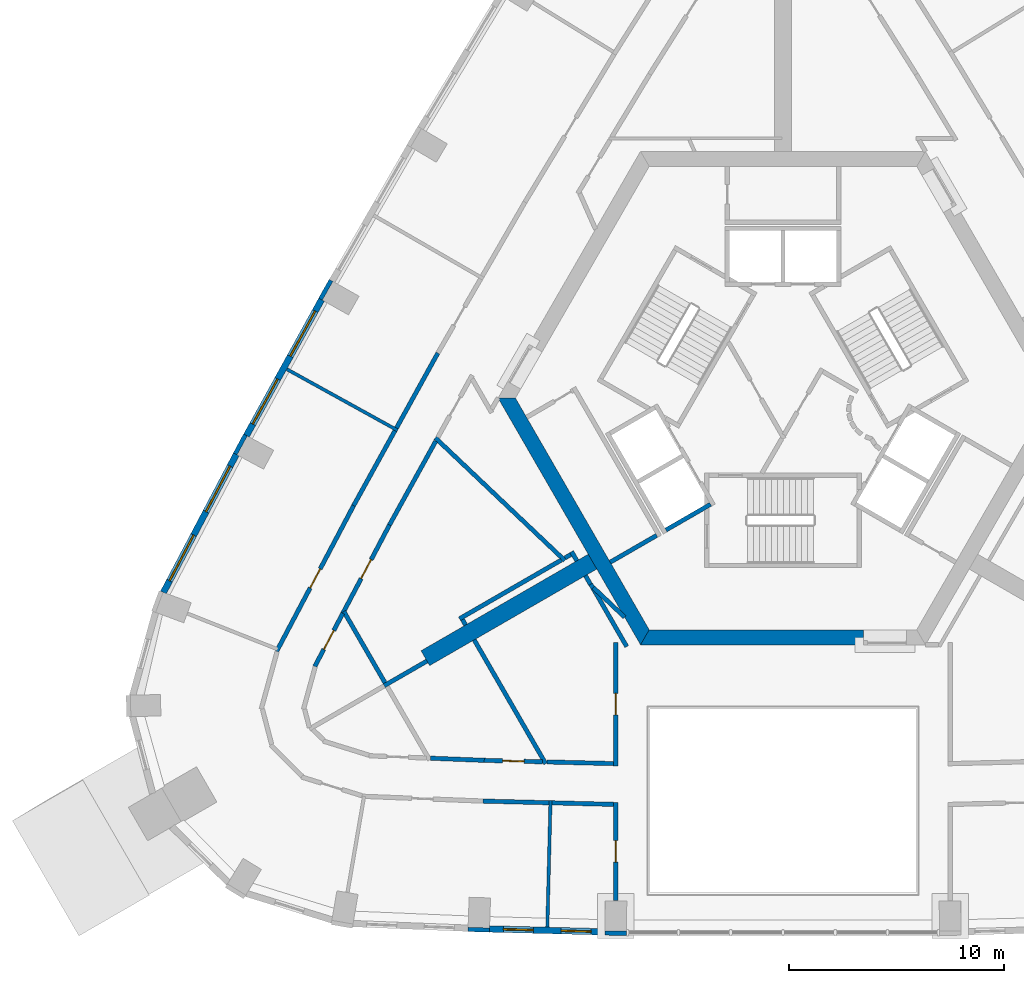
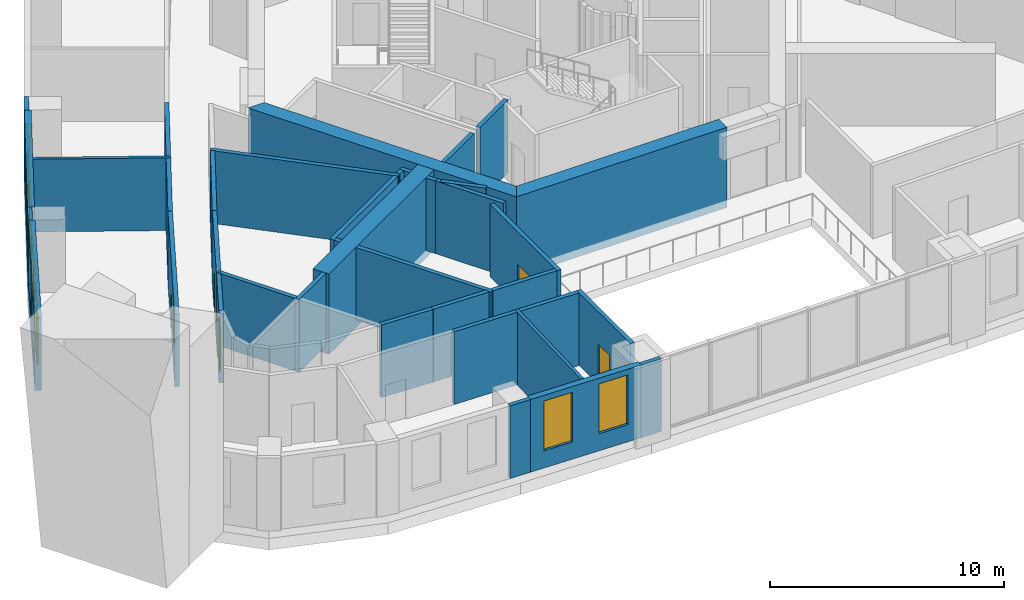
# One storey, part 4 of 13: 38 walls, 6 doors, 6 windows, 12 openings.
"""IFC4 building model written with IfcOpenShell, lengths in metres."""

from ifc_helpers import new_model, si_unit, direction, frame, frame_2d, origin, place, context, subcontext, project, spatial, polyline, rectangle, outline, extrude, material, layer, layer_set, type_object, element, fill, save


model = new_model("IFC4")

# Units and contexts
model_context = context("Model", 3, precision=1e-05, world=origin(), true_north=direction((0.0, 1.0)))
body_context = subcontext(model_context, "Body", "Model", "MODEL_VIEW")
ifc_project = project(units=[si_unit("LENGTHUNIT", "METRE"), si_unit("AREAUNIT", "SQUARE_METRE"), si_unit("VOLUMEUNIT", "CUBIC_METRE"), si_unit("PLANEANGLEUNIT", "RADIAN"), si_unit("MASSUNIT", "GRAM", prefix="KILO")], contexts=[model_context])

# Site, building, storey
site_placement = place(None, origin())
site = spatial("IfcSite", under=ifc_project, at=site_placement, CompositionType="ELEMENT")
building_placement = place(site_placement, origin())
building = spatial("IfcBuilding", under=site, at=building_placement, Name="Entoto Arch Interchange Tower", CompositionType="ELEMENT")
storey_placement = place(building_placement, frame((0.0, 0.0, 202.39990234375)))
storey = spatial("IfcBuildingStorey", under=building, at=storey_placement, Name="L45", CompositionType="ELEMENT", Elevation=202.39990234375)

# Walls
ifc_material_1 = material(Name="Concrete C50/60", Category="concrete")
ifc_layer_1 = layer(ifc_material_1, 0.800048828125)
ifc_layer_set_1 = layer_set([ifc_layer_1], Name="Concrete C50/60")
wall_type_1 = type_object("IfcWallType", Name="Buttress wall 800 C50/60", PredefinedType="SHEAR", material=ifc_layer_set_1)
wall_1_placement = place(storey_placement, frame((-8.876953125, -5.125, -0.39990234375), z_axis=(0.0, 0.0, 1.0), x_axis=(-0.866017533419, -0.500013631625, 0.0)))
element("IfcWall", 1, at=wall_1_placement, inside=storey, type_object=wall_type_1, Name="Buttress wall SW L45", PredefinedType="SHEAR", context=body_context, shape_type="SweptSolid", body=[
    extrude(rectangle(XDim=8.999755859375, YDim=0.800048828125, at=frame_2d((4.5, 0.0))), origin(), (0.0, 0.0, 1.0), 4.199951171875),
])
ifc_layer_2 = layer(ifc_material_1, 0.699951171875)
ifc_layer_set_2 = layer_set([ifc_layer_2], Name="Concrete C50/60")
wall_type_2 = type_object("IfcWallType", Name="Core wall 700 C50/60", PredefinedType="SHEAR", material=ifc_layer_set_2)
wall_2_placement = place(storey_placement, frame((0.0, 0.0, -0.39990234375)))
element("IfcWall", 2, at=wall_2_placement, inside=storey, type_object=wall_type_2, Name="Core wall SW L45", PredefinedType="SHEAR", context=body_context, shape_type="SweptSolid", body=[
    extrude(outline(polyline([(-13.279052734375, 2.5), (-6.639892578125, -9.0), (-6.235107421875, -8.300048828125), (-12.470947265625, 2.5), (-13.279052734375, 2.5)])), origin(), (0.0, 0.0, 1.0), 4.199951171875),
])
wall_3_placement = place(storey_placement, frame((0.0, 0.0, -0.39990234375)))
element("IfcWall", 3, at=wall_3_placement, inside=storey, type_object=wall_type_2, Name="Core wall S L45", PredefinedType="SHEAR", context=body_context, shape_type="SweptSolid", body=[
    extrude(outline(polyline([(3.75, -9.0), (3.75, -8.300048828125), (-6.235107421875, -8.300048828125), (-6.639892578125, -9.0), (3.75, -9.0)])), origin(), (0.0, 0.0, 1.0), 4.199951171875),
])
ifc_material_2 = material(Name="Concrete C40/50", Category="concrete")
ifc_layer_3 = layer(ifc_material_2, 0.199951171875)
ifc_layer_set_3 = layer_set([ifc_layer_3], Name="Concrete C40/50")
wall_type_3 = type_object("IfcWallType", Name="LIFT SHAFT WALL 200", PredefinedType="STANDARD", material=ifc_layer_set_3)
wall_4_placement = place(storey_placement, frame((-3.376953125, -2.451904296875, 0.0), z_axis=(0.0, 0.0, 1.0), x_axis=(-0.865955154139, -0.50012165622, 0.0)))
element("IfcWall", 4, at=wall_4_placement, inside=storey, type_object=wall_type_3, Name="Shaft wall SW1 cross 3", PredefinedType="STANDARD", context=body_context, shape_type="SweptSolid", body=[
    extrude(rectangle(XDim=2.39990234375, YDim=0.199951171875, at=frame_2d((1.199951171875, 0.0))), origin(), (0.0, 0.0, 1.0), 3.800048828125),
])
ifc_material_3 = material(Name="Gypsum board partition on steel studs", Category="steel")
ifc_layer_4 = layer(ifc_material_3, 0.14990234375)
ifc_layer_set_4 = layer_set([ifc_layer_4], Name="Gypsum board partition on steel studs")
wall_type_4 = type_object("IfcWallType", Name="PARTITION 150", PredefinedType="PARTITIONING", material=ifc_layer_set_4)
wall_5_placement = place(storey_placement, frame((-17.964111328125, 0.992919921875, 0.0), z_axis=(0.0, 0.0, 1.0), x_axis=(-0.875289017238, 0.483600182282, 0.0)))
element("IfcWall", 5, at=wall_5_placement, inside=storey, type_object=wall_type_4, Name="wall:L45:p119", PredefinedType="PARTITIONING", context=body_context, shape_type="SweptSolid", body=[
    extrude(rectangle(XDim=5.899658203125, YDim=0.14990234375, at=frame_2d((2.94970703125, 0.0))), origin(), (0.0, 0.0, 1.0), 3.800048828125),
])
wall_6_placement = place(storey_placement, frame((-10.8359375, -16.26611328125, 0.0), z_axis=(0.0, 0.0, 1.0), x_axis=(-0.025076969416, -0.999685523355, 0.0)))
element("IfcWall", 6, at=wall_6_placement, inside=storey, type_object=wall_type_4, Name="wall:L45:p122", PredefinedType="PARTITIONING", context=body_context, shape_type="SweptSolid", body=[
    extrude(rectangle(XDim=5.89990234375, YDim=0.14990234375, at=frame_2d((2.949951171875, 0.0))), origin(), (0.0, 0.0, 1.0), 3.800048828125),
])
ifc_layer_5 = layer(ifc_material_3, 0.199951171875)
ifc_layer_set_5 = layer_set([ifc_layer_5], Name="Gypsum board partition on steel studs")
wall_type_5 = type_object("IfcWallType", Name="PARTITION 200", PredefinedType="PARTITIONING", material=ifc_layer_set_5)
wall_7_placement = place(storey_placement, frame((-11.009033203125, -14.4609375, 0.0), z_axis=(0.0, 0.0, 1.0), x_axis=(0.999684451251, -0.025119672116, 0.0)))
element("IfcWall", 7, at=wall_7_placement, inside=storey, type_object=wall_type_5, Name="wall:L45:p026", PredefinedType="PARTITIONING", context=body_context, shape_type="SweptSolid", body=[
    extrude(rectangle(XDim=3.110107421875, YDim=0.199951171875, at=frame_2d((1.55517578125, 0.0))), origin(), (0.0, 0.0, 1.0), 3.800048828125),
])
wall_8_placement = place(storey_placement, frame((-16.18408203125, 0.492919921875, 0.0), z_axis=(0.0, 0.0, 1.0), x_axis=(-0.48354397003, -0.875320072344, 0.0)))
element("IfcWall", 8, at=wall_8_placement, inside=storey, type_object=wall_type_5, Name="wall:L45:p027", PredefinedType="PARTITIONING", context=body_context, shape_type="SweptSolid", body=[
    extrude(rectangle(XDim=4.466796875, YDim=0.199951171875, at=frame_2d((2.2333984375, 0.0))), origin(), (0.0, 0.0, 1.0), 3.800048828125),
])

# Wall, opening, door
wall_9_placement = place(storey_placement, frame((-18.343994140625, -3.4169921875, 0.0), z_axis=(0.0, 0.0, 1.0), x_axis=(-0.466889669343, -0.884315575267, 0.0)))
wall_9 = element("IfcWall", 9, at=wall_9_placement, inside=storey, type_object=wall_type_5, Name="wall:L45:p028", PredefinedType="PARTITIONING", context=body_context, shape_type="SweptSolid", body=[
    extrude(rectangle(XDim=4.654296875, YDim=0.199951171875, at=frame_2d((2.3271484375, 0.0))), origin(), (0.0, 0.0, 1.0), 3.800048828125),
])
opening_1_placement = place(wall_9_placement, frame((1.826904296875, 0.0, 0.0)))
opening_1 = element("IfcOpeningElement", 10, at=opening_1_placement, cuts=wall_9, Name="Opening L45-D21", PredefinedType="OPENING", context=body_context, shape_type="SweptSolid", body=[
    extrude(rectangle(XDim=1.0, YDim=2.10009765625, at=frame_2d((0.5, 1.050048828125))), frame((0.0, 0.10986328125, 0.0), z_axis=(0.0, -1.0, 0.0), x_axis=(1.0, 0.0, 0.0)), (0.0, 0.0, 1.0), 0.219970703125),
])
ifc_material_4 = material(Name="Timber door leaf in Steel S235 frame", Category="steel")
door_type = type_object("IfcDoorType", Name="DOOR DS-10 1000x2100", OperationType="SINGLE_SWING_LEFT", PredefinedType="DOOR", material=ifc_material_4)
door_1_placement = place(opening_1_placement, origin())
door_1 = element("IfcDoor", 11, at=door_1_placement, inside=storey, type_object=door_type, Name="door:L45:21", OperationType="SINGLE_SWING_LEFT", OverallHeight=2.10009765625, OverallWidth=1.0, PredefinedType="DOOR", context=body_context, shape_type="SweptSolid", body=[
    extrude(rectangle(XDim=1.0, YDim=2.10009765625, at=frame_2d((0.5, 1.050048828125))), frame((0.0, 0.02490234375, 0.0), z_axis=(0.0, -1.0, 0.0), x_axis=(1.0, 0.0, 0.0)), (0.0, 0.0, 1.0), 0.050048828125),
])
fill(opening_1, door_1)

# Wall
wall_10_placement = place(storey_placement, frame((-16.422119140625, -14.287109375, 0.0), z_axis=(0.0, 0.0, 1.0), x_axis=(0.999201426829, -0.039956333943, 0.0)))
element("IfcWall", 12, at=wall_10_placement, inside=storey, type_object=wall_type_5, Name="wall:L45:p029", PredefinedType="PARTITIONING", context=body_context, shape_type="SweptSolid", body=[
    extrude(rectangle(XDim=2.4990234375, YDim=0.199951171875, at=frame_2d((1.24951171875, 0.0))), origin(), (0.0, 0.0, 1.0), 3.800048828125),
])

# Wall, opening, door
wall_11_placement = place(storey_placement, frame((-13.925048828125, -14.386962890625, 0.0), z_axis=(0.0, 0.0, 1.0), x_axis=(0.999685678874, -0.025070768935, 0.0)))
wall_11 = element("IfcWall", 13, at=wall_11_placement, inside=storey, type_object=wall_type_5, Name="wall:L45:p030", PredefinedType="PARTITIONING", context=body_context, shape_type="SweptSolid", body=[
    extrude(rectangle(XDim=2.716796875, YDim=0.199951171875, at=frame_2d((1.3583984375, 0.0))), origin(), (0.0, 0.0, 1.0), 3.800048828125),
])
opening_2_placement = place(wall_11_placement, frame((0.85791015625, 0.0, 0.0)))
opening_2 = element("IfcOpeningElement", 14, at=opening_2_placement, cuts=wall_11, Name="Opening L45-D22", PredefinedType="OPENING", context=body_context, shape_type="SweptSolid", body=[
    extrude(rectangle(XDim=1.0, YDim=2.10009765625, at=frame_2d((0.5, 1.050048828125))), frame((0.0, 0.10986328125, 0.0), z_axis=(0.0, -1.0, 0.0), x_axis=(1.0, 0.0, 0.0)), (0.0, 0.0, 1.0), 0.219970703125),
])
door_2_placement = place(opening_2_placement, origin())
door_2 = element("IfcDoor", 15, at=door_2_placement, inside=storey, type_object=door_type, Name="door:L45:22", OperationType="SINGLE_SWING_LEFT", OverallHeight=2.10009765625, OverallWidth=1.0, PredefinedType="DOOR", context=body_context, shape_type="SweptSolid", body=[
    extrude(rectangle(XDim=1.0, YDim=2.10009765625, at=frame_2d((0.5, 1.050048828125))), frame((0.0, 0.02490234375, 0.0), z_axis=(0.0, -1.0, 0.0), x_axis=(1.0, 0.0, 0.0)), (0.0, 0.0, 1.0), 0.050048828125),
])
fill(opening_2, door_2)

wall_12_placement = place(storey_placement, frame((-20.51708984375, -7.532958984375, 0.0), z_axis=(0.0, 0.0, 1.0), x_axis=(-0.466570716246, -0.88448389852, 0.0)))
wall_12 = element("IfcWall", 16, at=wall_12_placement, inside=storey, type_object=wall_type_5, Name="wall:L45:p031", PredefinedType="PARTITIONING", context=body_context, shape_type="SweptSolid", body=[
    extrude(rectangle(XDim=2.794677734375, YDim=0.199951171875, at=frame_2d((1.3974609375, 0.0))), origin(), (0.0, 0.0, 1.0), 3.800048828125),
])
opening_3_placement = place(wall_12_placement, frame((0.89697265625, 0.0, 0.0)))
opening_3 = element("IfcOpeningElement", 17, at=opening_3_placement, cuts=wall_12, Name="Opening L45-D23", PredefinedType="OPENING", context=body_context, shape_type="SweptSolid", body=[
    extrude(rectangle(XDim=1.0, YDim=2.10009765625, at=frame_2d((0.5, 1.050048828125))), frame((0.0, 0.10986328125, 0.0), z_axis=(0.0, -1.0, 0.0), x_axis=(1.0, 0.0, 0.0)), (0.0, 0.0, 1.0), 0.219970703125),
])
door_3_placement = place(opening_3_placement, origin())
door_3 = element("IfcDoor", 18, at=door_3_placement, inside=storey, type_object=door_type, Name="door:L45:23", OperationType="SINGLE_SWING_LEFT", OverallHeight=2.10009765625, OverallWidth=1.0, PredefinedType="DOOR", context=body_context, shape_type="SweptSolid", body=[
    extrude(rectangle(XDim=1.0, YDim=2.10009765625, at=frame_2d((0.5, 1.050048828125))), frame((0.0, 0.02490234375, 0.0), z_axis=(0.0, -1.0, 0.0), x_axis=(1.0, 0.0, 0.0)), (0.0, 0.0, 1.0), 0.050048828125),
])
fill(opening_3, door_3)

# Wall
wall_13_placement = place(storey_placement, frame((-18.014892578125, 1.10693359375, 0.0), z_axis=(0.0, 0.0, 1.0), x_axis=(0.483551557311, 0.875315880938, 0.0)))
element("IfcWall", 19, at=wall_13_placement, inside=storey, type_object=wall_type_5, Name="wall:L45:p055", PredefinedType="PARTITIONING", context=body_context, shape_type="SweptSolid", body=[
    extrude(rectangle(XDim=3.987060546875, YDim=0.199951171875, at=frame_2d((1.99365234375, 0.0))), origin(), (0.0, 0.0, 1.0), 3.800048828125),
])

# Wall, opening, door
wall_14_placement = place(storey_placement, frame((-23.597900390625, -9.301025390625, 0.0), z_axis=(0.0, 0.0, 1.0), x_axis=(0.466852608943, 0.884335140952, 0.0)))
wall_14 = element("IfcWall", 20, at=wall_14_placement, inside=storey, type_object=wall_type_5, Name="wall:L45:p057", PredefinedType="PARTITIONING", context=body_context, shape_type="SweptSolid", body=[
    extrude(rectangle(XDim=7.6748046875, YDim=0.199951171875, at=frame_2d((3.83740234375, 0.0))), origin(), (0.0, 0.0, 1.0), 3.800048828125),
])
opening_4_placement = place(wall_14_placement, frame((3.3369140625, 0.0, 0.0)))
opening_4 = element("IfcOpeningElement", 21, at=opening_4_placement, cuts=wall_14, Name="Opening L45-D12", PredefinedType="OPENING", context=body_context, shape_type="SweptSolid", body=[
    extrude(rectangle(XDim=1.0, YDim=2.10009765625, at=frame_2d((0.5, 1.050048828125))), frame((0.0, 0.10986328125, 0.0), z_axis=(0.0, -1.0, 0.0), x_axis=(1.0, 0.0, 0.0)), (0.0, 0.0, 1.0), 0.219970703125),
])
door_4_placement = place(opening_4_placement, origin())
door_4 = element("IfcDoor", 22, at=door_4_placement, inside=storey, type_object=door_type, Name="door:L45:12", OperationType="SINGLE_SWING_LEFT", OverallHeight=2.10009765625, OverallWidth=1.0, PredefinedType="DOOR", context=body_context, shape_type="SweptSolid", body=[
    extrude(rectangle(XDim=1.0, YDim=2.10009765625, at=frame_2d((0.5, 1.050048828125))), frame((0.0, 0.02490234375, 0.0), z_axis=(0.0, -1.0, 0.0), x_axis=(1.0, 0.0, 0.0)), (0.0, 0.0, 1.0), 0.050048828125),
])
fill(opening_4, door_4)

# Walls
wall_15_placement = place(storey_placement, frame((-20.014892578125, -2.513916015625, 0.0), z_axis=(0.0, 0.0, 1.0), x_axis=(0.483363864601, 0.875419541933, 0.0)))
element("IfcWall", 23, at=wall_15_placement, inside=storey, type_object=wall_type_5, Name="wall:L45:p058", PredefinedType="PARTITIONING", context=body_context, shape_type="SweptSolid", body=[
    extrude(rectangle(XDim=3.986572265625, YDim=0.199951171875, at=frame_2d((1.9931640625, 0.0))), origin(), (0.0, 0.0, 1.0), 3.800048828125),
])
wall_16_placement = place(storey_placement, frame((-10.9130859375, -16.364013671875, 0.0), z_axis=(0.0, 0.0, 1.0), x_axis=(-0.999676990694, 0.02541484365, 0.0)))
element("IfcWall", 24, at=wall_16_placement, inside=storey, type_object=wall_type_5, Name="wall:L45:p063", PredefinedType="PARTITIONING", context=body_context, shape_type="SweptSolid", body=[
    extrude(rectangle(XDim=3.073974609375, YDim=0.199951171875, at=frame_2d((1.537109375, 0.0))), origin(), (0.0, 0.0, 1.0), 3.800048828125),
])
wall_17_placement = place(storey_placement, frame((-7.89990234375, -16.43994140625, 0.0), z_axis=(0.0, 0.0, 1.0), x_axis=(-0.999675117104, 0.025488433531, 0.0)))
element("IfcWall", 25, at=wall_17_placement, inside=storey, type_object=wall_type_5, Name="wall:L45:p065", PredefinedType="PARTITIONING", context=body_context, shape_type="SweptSolid", body=[
    extrude(rectangle(XDim=2.864013671875, YDim=0.199951171875, at=frame_2d((1.43212890625, 0.0))), origin(), (0.0, 0.0, 1.0), 3.800048828125),
])
wall_18_placement = place(storey_placement, frame((-5.887939453125, -3.902099609375, 0.0), z_axis=(0.0, 0.0, 1.0), x_axis=(-0.866022959057, -0.500004234368, 0.0)))
element("IfcWall", 26, at=wall_18_placement, inside=storey, type_object=wall_type_5, Name="wall:L45:p072", PredefinedType="PARTITIONING", context=body_context, shape_type="SweptSolid", body=[
    extrude(rectangle(XDim=2.5, YDim=0.199951171875, at=frame_2d((1.25, 0.0))), origin(), (0.0, 0.0, 1.0), 3.800048828125),
])
wall_19_placement = place(storey_placement, frame((-8.840087890625, -6.33203125, 0.0), z_axis=(0.0, 0.0, 1.0), x_axis=(0.726080635734, -0.687609562479, 0.0)))
element("IfcWall", 27, at=wall_19_placement, inside=storey, type_object=wall_type_5, Name="wall:L45:p092", PredefinedType="PARTITIONING", context=body_context, shape_type="SweptSolid", body=[
    extrude(rectangle(XDim=2.00537109375, YDim=0.199951171875, at=frame_2d((1.002685546875, 0.0))), origin(), (0.0, 0.0, 1.0), 3.800048828125),
])

# Wall, opening, door
wall_20_placement = place(storey_placement, frame((-7.800048828125, -14.64111328125, 0.0), z_axis=(0.0, 0.0, 1.0), x_axis=(0.0, 1.0, 0.0)))
wall_20 = element("IfcWall", 28, at=wall_20_placement, inside=storey, type_object=wall_type_5, Name="wall:L45:p093", PredefinedType="PARTITIONING", context=body_context, shape_type="SweptSolid", body=[
    extrude(rectangle(XDim=5.7421875, YDim=0.199951171875, at=frame_2d((2.87109375, 0.0))), origin(), (0.0, 0.0, 1.0), 3.800048828125),
])
opening_5_placement = place(wall_20_placement, frame((2.37109375, 0.0, 0.0)))
opening_5 = element("IfcOpeningElement", 29, at=opening_5_placement, cuts=wall_20, Name="Opening L45-D20", PredefinedType="OPENING", context=body_context, shape_type="SweptSolid", body=[
    extrude(rectangle(XDim=1.0, YDim=2.10009765625, at=frame_2d((0.5, 1.050048828125))), frame((0.0, 0.10986328125, 0.0), z_axis=(0.0, -1.0, 0.0), x_axis=(1.0, 0.0, 0.0)), (0.0, 0.0, 1.0), 0.219970703125),
])
door_5_placement = place(opening_5_placement, origin())
door_5 = element("IfcDoor", 30, at=door_5_placement, inside=storey, type_object=door_type, Name="door:L45:20", OperationType="SINGLE_SWING_LEFT", OverallHeight=2.10009765625, OverallWidth=1.0, PredefinedType="DOOR", context=body_context, shape_type="SweptSolid", body=[
    extrude(rectangle(XDim=1.0, YDim=2.10009765625, at=frame_2d((0.5, 1.050048828125))), frame((0.0, 0.02490234375, 0.0), z_axis=(0.0, -1.0, 0.0), x_axis=(1.0, 0.0, 0.0)), (0.0, 0.0, 1.0), 0.050048828125),
])
fill(opening_5, door_5)

# Wall
wall_21_placement = place(storey_placement, frame((-7.282958984375, -9.0859375, 0.0), z_axis=(0.0, 0.0, 1.0), x_axis=(-0.499883958536, 0.86609238999, 0.0)))
element("IfcWall", 31, at=wall_21_placement, inside=storey, type_object=wall_type_5, Name="wall:L45:p094", PredefinedType="PARTITIONING", context=body_context, shape_type="SweptSolid", body=[
    extrude(rectangle(XDim=3.358642578125, YDim=0.199951171875, at=frame_2d((1.67919921875, 0.0))), origin(), (0.0, 0.0, 1.0), 3.800048828125),
])

# Wall, opening, door
wall_22_placement = place(storey_placement, frame((-7.800048828125, -20.924072265625, 0.0), z_axis=(0.0, 0.0, 1.0), x_axis=(0.0, 1.0, 0.0)))
wall_22 = element("IfcWall", 32, at=wall_22_placement, inside=storey, type_object=wall_type_5, Name="wall:L45:p096", PredefinedType="PARTITIONING", context=body_context, shape_type="SweptSolid", body=[
    extrude(rectangle(XDim=4.58203125, YDim=0.199951171875, at=frame_2d((2.291015625, 0.0))), origin(), (0.0, 0.0, 1.0), 3.800048828125),
])
opening_6_placement = place(wall_22_placement, frame((1.791015625, 0.0, 0.0)))
opening_6 = element("IfcOpeningElement", 33, at=opening_6_placement, cuts=wall_22, Name="Opening L45-D15", PredefinedType="OPENING", context=body_context, shape_type="SweptSolid", body=[
    extrude(rectangle(XDim=1.0, YDim=2.10009765625, at=frame_2d((0.5, 1.050048828125))), frame((0.0, 0.10986328125, 0.0), z_axis=(0.0, -1.0, 0.0), x_axis=(1.0, 0.0, 0.0)), (0.0, 0.0, 1.0), 0.219970703125),
])
door_6_placement = place(opening_6_placement, origin())
door_6 = element("IfcDoor", 34, at=door_6_placement, inside=storey, type_object=door_type, Name="door:L45:15", OperationType="SINGLE_SWING_LEFT", OverallHeight=2.10009765625, OverallWidth=1.0, PredefinedType="DOOR", context=body_context, shape_type="SweptSolid", body=[
    extrude(rectangle(XDim=1.0, YDim=2.10009765625, at=frame_2d((0.5, 1.050048828125))), frame((0.0, 0.02490234375, 0.0), z_axis=(0.0, -1.0, 0.0), x_axis=(1.0, 0.0, 0.0)), (0.0, 0.0, 1.0), 0.050048828125),
])
fill(opening_6, door_6)

# Walls
wall_23_placement = place(storey_placement, frame((-8.972900390625, -6.18310546875, 0.0), z_axis=(0.0, 0.0, 1.0), x_axis=(-0.499557093027, 0.86628096528, 0.0)))
element("IfcWall", 35, at=wall_23_placement, inside=storey, type_object=wall_type_5, Name="wall:L45:p099", PredefinedType="PARTITIONING", context=body_context, shape_type="SweptSolid", body=[
    extrude(rectangle(XDim=0.46875, YDim=0.199951171875, at=frame_2d((0.234375, 0.0))), origin(), (0.0, 0.0, 1.0), 3.800048828125),
])
wall_24_placement = place(storey_placement, frame((-9.889892578125, -4.794921875, 0.0), z_axis=(0.0, 0.0, 1.0), x_axis=(-0.866447259568, -0.499268611457, 0.0)))
element("IfcWall", 36, at=wall_24_placement, inside=storey, type_object=wall_type_5, Name="wall:L45:p100", PredefinedType="PARTITIONING", context=body_context, shape_type="SweptSolid", body=[
    extrude(rectangle(XDim=0.310546875, YDim=0.199951171875, at=frame_2d((0.1552734375, 0.0))), origin(), (0.0, 0.0, 1.0), 3.800048828125),
])
wall_25_placement = place(storey_placement, frame((-10.173095703125, -5.069091796875, 0.0), z_axis=(0.0, 0.0, 1.0), x_axis=(-0.725908697087, 0.687791075468, 0.0)))
element("IfcWall", 37, at=wall_25_placement, inside=storey, type_object=wall_type_5, Name="wall:L45:p101", PredefinedType="PARTITIONING", context=body_context, shape_type="SweptSolid", body=[
    extrude(rectangle(XDim=8.3134765625, YDim=0.199951171875, at=frame_2d((4.15673828125, 0.0))), origin(), (0.0, 0.0, 1.0), 3.800048828125),
])
wall_26_placement = place(storey_placement, frame((-14.7919921875, -8.077880859375, 0.0), z_axis=(0.0, 0.0, 1.0), x_axis=(-0.50241736454, 0.864625231999, 0.0)))
element("IfcWall", 38, at=wall_26_placement, inside=storey, type_object=wall_type_5, Name="wall:L45:p102", PredefinedType="PARTITIONING", context=body_context, shape_type="SweptSolid", body=[
    extrude(rectangle(XDim=0.29248046875, YDim=0.199951171875, at=frame_2d((0.146240234375, 0.0))), origin(), (0.0, 0.0, 1.0), 3.800048828125),
])
wall_27_placement = place(storey_placement, frame((-15.075927734375, -7.7880859375, 0.0), z_axis=(0.0, 0.0, 1.0), x_axis=(0.866092814325, 0.499883223337, 0.0)))
element("IfcWall", 39, at=wall_27_placement, inside=storey, type_object=wall_type_5, Name="wall:L45:p103", PredefinedType="PARTITIONING", context=body_context, shape_type="SweptSolid", body=[
    extrude(rectangle(XDim=5.477294921875, YDim=0.199951171875, at=frame_2d((2.73876953125, 0.0))), origin(), (0.0, 0.0, 1.0), 3.800048828125),
])
wall_28_placement = place(storey_placement, frame((-11.05908203125, -14.544921875, 0.0), z_axis=(0.0, 0.0, 1.0), x_axis=(-0.499935899035, 0.866062409331, 0.0)))
element("IfcWall", 40, at=wall_28_placement, inside=storey, type_object=wall_type_5, Name="wall:L45:p104", PredefinedType="PARTITIONING", context=body_context, shape_type="SweptSolid", body=[
    extrude(rectangle(XDim=6.6669921875, YDim=0.199951171875, at=frame_2d((3.33349609375, 0.0))), origin(), (0.0, 0.0, 1.0), 3.800048828125),
])
wall_29_placement = place(storey_placement, frame((-16.594970703125, -9.757080078125, 0.0), z_axis=(0.0, 0.0, 1.0), x_axis=(-0.866053019151, -0.499952165731, 0.0)))
element("IfcWall", 41, at=wall_29_placement, inside=storey, type_object=wall_type_5, Name="wall:L45:p105", PredefinedType="PARTITIONING", context=body_context, shape_type="SweptSolid", body=[
    extrude(rectangle(XDim=2.300048828125, YDim=0.199951171875, at=frame_2d((1.14990234375, 0.0))), origin(), (0.0, 0.0, 1.0), 3.800048828125),
])
wall_30_placement = place(storey_placement, frame((-18.550048828125, -10.77001953125, 0.0), z_axis=(0.0, 0.0, 1.0), x_axis=(-0.500050869834, 0.86599603208, 0.0)))
element("IfcWall", 42, at=wall_30_placement, inside=storey, type_object=wall_type_5, Name="wall:L45:p106", PredefinedType="PARTITIONING", context=body_context, shape_type="SweptSolid", body=[
    extrude(rectangle(XDim=3.83935546875, YDim=0.199951171875, at=frame_2d((1.919677734375, 0.0))), origin(), (0.0, 0.0, 1.0), 3.800048828125),
])
wall_31_placement = place(storey_placement, frame((-9.60693359375, -5.083984375, 0.0), z_axis=(0.0, 0.0, 1.0), x_axis=(-0.500194922027, 0.865912836248, 0.0)))
element("IfcWall", 43, at=wall_31_placement, inside=storey, type_object=wall_type_5, Name="wall:L45:p099", PredefinedType="PARTITIONING", context=body_context, shape_type="SweptSolid", body=[
    extrude(rectangle(XDim=0.491943359375, YDim=0.199951171875, at=frame_2d((0.24609375, 0.0))), origin(), (0.0, 0.0, 1.0), 3.800048828125),
])

# Wall, openings, windows
ifc_material_5 = material(Name="Welded tuff (ignimbrite) cladding, warm buff", Category="masonry")
ifc_layer_6 = layer(ifc_material_5, 0.300048828125)
ifc_layer_set_6 = layer_set([ifc_layer_6], Name="Welded tuff (ignimbrite) cladding, warm buff")
wall_type_6 = type_object("IfcWallType", Name="STONE INFILL WALL 300", PredefinedType="STANDARD", material=ifc_layer_set_6)
wall_32_placement = place(storey_placement, frame((-13.680908203125, -22.24609375, 0.0), z_axis=(0.0, 0.0, 1.0), x_axis=(0.999685717988, -0.025069209235, 0.0)))
wall_32 = element("IfcWall", 44, at=wall_32_placement, inside=storey, type_object=wall_type_6, Name="Facade wall S-02 L45", PredefinedType="STANDARD", context=body_context, shape_type="SweptSolid", body=[
    extrude(rectangle(XDim=5.385498046875, YDim=0.300048828125, at=frame_2d((2.69287109375, 0.0))), origin(), (0.0, 0.0, 1.0), 3.800048828125),
])
opening_7_placement = place(wall_32_placement, frame((0.64599609375, 0.0, 0.89990234375)))
opening_7 = element("IfcOpeningElement", 45, at=opening_7_placement, cuts=wall_32, Name="Opening WO-B", PredefinedType="OPENING", context=body_context, shape_type="SweptSolid", body=[
    extrude(rectangle(XDim=1.39990234375, YDim=2.60009765625, at=frame_2d((0.699951171875, 1.300048828125))), frame((0.0, 0.16015625, 0.0), z_axis=(0.0, -1.0, 0.0), x_axis=(1.0, 0.0, 0.0)), (0.0, 0.0, 1.0), 0.320068359375),
])
opening_8_placement = place(wall_32_placement, frame((3.339111328125, 0.0, 0.89990234375)))
opening_8 = element("IfcOpeningElement", 46, at=opening_8_placement, cuts=wall_32, Name="Opening WO-B", PredefinedType="OPENING", context=body_context, shape_type="SweptSolid", body=[
    extrude(rectangle(XDim=1.39990234375, YDim=2.60009765625, at=frame_2d((0.699951171875, 1.300048828125))), frame((0.0, 0.16015625, 0.0), z_axis=(0.0, -1.0, 0.0), x_axis=(1.0, 0.0, 0.0)), (0.0, 0.0, 1.0), 0.320068359375),
])
ifc_material_6 = material(Name="Clear glass, low-e double glazed", Category="glass")
window_type_1 = type_object("IfcWindowType", Name="WINDOW WO-B 1400x2600", PartitioningType="DOUBLE_PANEL_VERTICAL", PredefinedType="WINDOW", material=ifc_material_6)
window_1_placement = place(opening_7_placement, origin())
window_1 = element("IfcWindow", 47, at=window_1_placement, inside=storey, type_object=window_type_1, Name="Window WO-B S-02 L45", OverallHeight=2.60009765625, OverallWidth=1.39990234375, PartitioningType="SINGLE_PANEL", PredefinedType="WINDOW", context=body_context, shape_type="SweptSolid", body=[
    extrude(rectangle(XDim=1.39990234375, YDim=2.60009765625, at=frame_2d((0.699951171875, 1.300048828125))), frame((0.0, 0.030029296875, 0.0), z_axis=(0.0, -1.0, 0.0), x_axis=(1.0, 0.0, 0.0)), (0.0, 0.0, 1.0), 0.06005859375),
])
fill(opening_7, window_1)
window_2_placement = place(opening_8_placement, origin())
window_2 = element("IfcWindow", 48, at=window_2_placement, inside=storey, type_object=window_type_1, Name="Window WO-B S-02 L45", OverallHeight=2.60009765625, OverallWidth=1.39990234375, PartitioningType="SINGLE_PANEL", PredefinedType="WINDOW", context=body_context, shape_type="SweptSolid", body=[
    extrude(rectangle(XDim=1.39990234375, YDim=2.60009765625, at=frame_2d((0.699951171875, 1.300048828125))), frame((0.0, 0.030029296875, 0.0), z_axis=(0.0, -1.0, 0.0), x_axis=(1.0, 0.0, 0.0)), (0.0, 0.0, 1.0), 0.06005859375),
])
fill(opening_8, window_2)

wall_33_placement = place(storey_placement, frame((-21.510009765625, 7.0859375, 0.0), z_axis=(0.0, 0.0, 1.0), x_axis=(-0.483590905878, -0.875294142419, 0.0)))
wall_33 = element("IfcWall", 49, at=wall_33_placement, inside=storey, type_object=wall_type_6, Name="Facade wall NW-04 L45", PredefinedType="STANDARD", context=body_context, shape_type="SweptSolid", body=[
    extrude(rectangle(XDim=7.237548828125, YDim=0.300048828125, at=frame_2d((3.61865234375, 0.0))), origin(), (0.0, 0.0, 1.0), 3.800048828125),
])
opening_9_placement = place(wall_33_placement, frame((0.60888671875, 0.0, 0.89990234375)))
opening_9 = element("IfcOpeningElement", 50, at=opening_9_placement, cuts=wall_33, Name="Opening WO-A", PredefinedType="OPENING", context=body_context, shape_type="SweptSolid", body=[
    extrude(rectangle(XDim=2.39990234375, YDim=2.60009765625, at=frame_2d((1.199951171875, 1.300048828125))), frame((0.0, 0.16015625, 0.0), z_axis=(0.0, -1.0, 0.0), x_axis=(1.0, 0.0, 0.0)), (0.0, 0.0, 1.0), 0.320068359375),
])
opening_10_placement = place(wall_33_placement, frame((4.22802734375, 0.0, 0.89990234375)))
opening_10 = element("IfcOpeningElement", 51, at=opening_10_placement, cuts=wall_33, Name="Opening WO-A", PredefinedType="OPENING", context=body_context, shape_type="SweptSolid", body=[
    extrude(rectangle(XDim=2.39990234375, YDim=2.60009765625, at=frame_2d((1.199951171875, 1.300048828125))), frame((0.0, 0.16015625, 0.0), z_axis=(0.0, -1.0, 0.0), x_axis=(1.0, 0.0, 0.0)), (0.0, 0.0, 1.0), 0.320068359375),
])
window_type_2 = type_object("IfcWindowType", Name="WINDOW WO-A 2400x2600", PartitioningType="DOUBLE_PANEL_VERTICAL", PredefinedType="WINDOW", material=ifc_material_6)
window_3_placement = place(opening_9_placement, origin())
window_3 = element("IfcWindow", 52, at=window_3_placement, inside=storey, type_object=window_type_2, Name="Window WO-A NW-04 L45", OverallHeight=2.60009765625, OverallWidth=2.39990234375, PartitioningType="SINGLE_PANEL", PredefinedType="WINDOW", context=body_context, shape_type="SweptSolid", body=[
    extrude(rectangle(XDim=2.39990234375, YDim=2.60009765625, at=frame_2d((1.199951171875, 1.300048828125))), frame((0.0, 0.030029296875, 0.0), z_axis=(0.0, -1.0, 0.0), x_axis=(1.0, 0.0, 0.0)), (0.0, 0.0, 1.0), 0.06005859375),
])
fill(opening_9, window_3)
window_4_placement = place(opening_10_placement, origin())
window_4 = element("IfcWindow", 53, at=window_4_placement, inside=storey, type_object=window_type_2, Name="Window WO-A NW-04 L45", OverallHeight=2.60009765625, OverallWidth=2.39990234375, PartitioningType="SINGLE_PANEL", PredefinedType="WINDOW", context=body_context, shape_type="SweptSolid", body=[
    extrude(rectangle(XDim=2.39990234375, YDim=2.60009765625, at=frame_2d((1.199951171875, 1.300048828125))), frame((0.0, 0.030029296875, 0.0), z_axis=(0.0, -1.0, 0.0), x_axis=(1.0, 0.0, 0.0)), (0.0, 0.0, 1.0), 0.06005859375),
])
fill(opening_10, window_4)

wall_34_placement = place(storey_placement, frame((-25.48388671875, -0.126953125, 0.0), z_axis=(0.0, 0.0, 1.0), x_axis=(-0.466789249342, -0.884368586449, 0.0)))
wall_34 = element("IfcWall", 54, at=wall_34_placement, inside=storey, type_object=wall_type_6, Name="Facade wall NW-05 L45", PredefinedType="STANDARD", context=body_context, shape_type="SweptSolid", body=[
    extrude(rectangle(XDim=7.273193359375, YDim=0.300048828125, at=frame_2d((3.63671875, 0.0))), origin(), (0.0, 0.0, 1.0), 3.800048828125),
])
opening_11_placement = place(wall_34_placement, frame((0.617919921875, 0.0, 0.89990234375)))
opening_11 = element("IfcOpeningElement", 55, at=opening_11_placement, cuts=wall_34, Name="Opening WO-A", PredefinedType="OPENING", context=body_context, shape_type="SweptSolid", body=[
    extrude(rectangle(XDim=2.39990234375, YDim=2.60009765625, at=frame_2d((1.199951171875, 1.300048828125))), frame((0.0, 0.16015625, 0.0), z_axis=(0.0, -1.0, 0.0), x_axis=(1.0, 0.0, 0.0)), (0.0, 0.0, 1.0), 0.320068359375),
])
opening_12_placement = place(wall_34_placement, frame((4.2548828125, 0.0, 0.89990234375)))
opening_12 = element("IfcOpeningElement", 56, at=opening_12_placement, cuts=wall_34, Name="Opening WO-A", PredefinedType="OPENING", context=body_context, shape_type="SweptSolid", body=[
    extrude(rectangle(XDim=2.39990234375, YDim=2.60009765625, at=frame_2d((1.199951171875, 1.300048828125))), frame((0.0, 0.16015625, 0.0), z_axis=(0.0, -1.0, 0.0), x_axis=(1.0, 0.0, 0.0)), (0.0, 0.0, 1.0), 0.320068359375),
])
window_5_placement = place(opening_11_placement, origin())
window_5 = element("IfcWindow", 57, at=window_5_placement, inside=storey, type_object=window_type_2, Name="Window WO-A NW-05 L45", OverallHeight=2.60009765625, OverallWidth=2.39990234375, PartitioningType="SINGLE_PANEL", PredefinedType="WINDOW", context=body_context, shape_type="SweptSolid", body=[
    extrude(rectangle(XDim=2.39990234375, YDim=2.60009765625, at=frame_2d((1.199951171875, 1.300048828125))), frame((0.0, 0.030029296875, 0.0), z_axis=(0.0, -1.0, 0.0), x_axis=(1.0, 0.0, 0.0)), (0.0, 0.0, 1.0), 0.06005859375),
])
fill(opening_11, window_5)
window_6_placement = place(opening_12_placement, origin())
window_6 = element("IfcWindow", 58, at=window_6_placement, inside=storey, type_object=window_type_2, Name="Window WO-A NW-05 L45", OverallHeight=2.60009765625, OverallWidth=2.39990234375, PartitioningType="SINGLE_PANEL", PredefinedType="WINDOW", context=body_context, shape_type="SweptSolid", body=[
    extrude(rectangle(XDim=2.39990234375, YDim=2.60009765625, at=frame_2d((1.199951171875, 1.300048828125))), frame((0.0, 0.030029296875, 0.0), z_axis=(0.0, -1.0, 0.0), x_axis=(1.0, 0.0, 0.0)), (0.0, 0.0, 1.0), 0.06005859375),
])
fill(opening_12, window_6)

# Walls
ifc_layer_7 = layer(ifc_material_5, 0.199951171875)
ifc_layer_set_7 = layer_set([ifc_layer_7], Name="Welded tuff (ignimbrite) cladding, warm buff")
wall_type_7 = type_object("IfcWallType", Name="STONE PIER CLADDING 200", PredefinedType="STANDARD", material=ifc_layer_set_7)
wall_35_placement = place(storey_placement, frame((-21.06591796875, 7.98291015625, 0.0), z_axis=(0.0, 0.0, 1.0), x_axis=(-0.492033129803, -0.870576475202, 0.0)))
element("IfcWall", 59, at=wall_35_placement, inside=storey, type_object=wall_type_7, Name="Stone pier NW04 L45", PredefinedType="STANDARD", context=body_context, shape_type="SweptSolid", body=[
    extrude(rectangle(XDim=1.000244140625, YDim=0.199951171875, at=frame_2d((0.5, 0.0))), origin(), (0.0, 0.0, 1.0), 3.800048828125),
])
wall_36_placement = place(storey_placement, frame((-25.05810546875, 0.778076171875, 0.0), z_axis=(0.0, 0.0, 1.0), x_axis=(-0.473663196434, -0.88070606694, 0.0)))
element("IfcWall", 60, at=wall_36_placement, inside=storey, type_object=wall_type_7, Name="Stone pier NW05 L45", PredefinedType="STANDARD", context=body_context, shape_type="SweptSolid", body=[
    extrude(rectangle(XDim=1.00048828125, YDim=0.199951171875, at=frame_2d((0.500244140625, 0.0))), origin(), (0.0, 0.0, 1.0), 3.800048828125),
])
wall_37_placement = place(storey_placement, frame((-14.680908203125, -22.26611328125, 0.0), z_axis=(0.0, 0.0, 1.0), x_axis=(0.999423561854, -0.033949138587, 0.0)))
element("IfcWall", 61, at=wall_37_placement, inside=storey, type_object=wall_type_7, Name="Stone pier S02 L45", PredefinedType="STANDARD", context=body_context, shape_type="SweptSolid", body=[
    extrude(rectangle(XDim=0.99951171875, YDim=0.199951171875, at=frame_2d((0.499755859375, 0.0))), origin(), (0.0, 0.0, 1.0), 3.800048828125),
])
wall_38_placement = place(storey_placement, frame((-8.299072265625, -22.43701171875, 0.0), z_axis=(0.0, 0.0, 1.0), x_axis=(0.999903186316, -0.013914668364, 0.0)))
element("IfcWall", 62, at=wall_38_placement, inside=storey, type_object=wall_type_7, Name="Stone pier S03 L45", PredefinedType="STANDARD", context=body_context, shape_type="SweptSolid", body=[
    extrude(rectangle(XDim=1.0, YDim=0.199951171875, at=frame_2d((0.5, 0.0))), origin(), (0.0, 0.0, 1.0), 3.800048828125),
])

save(model, "model.ifc")
